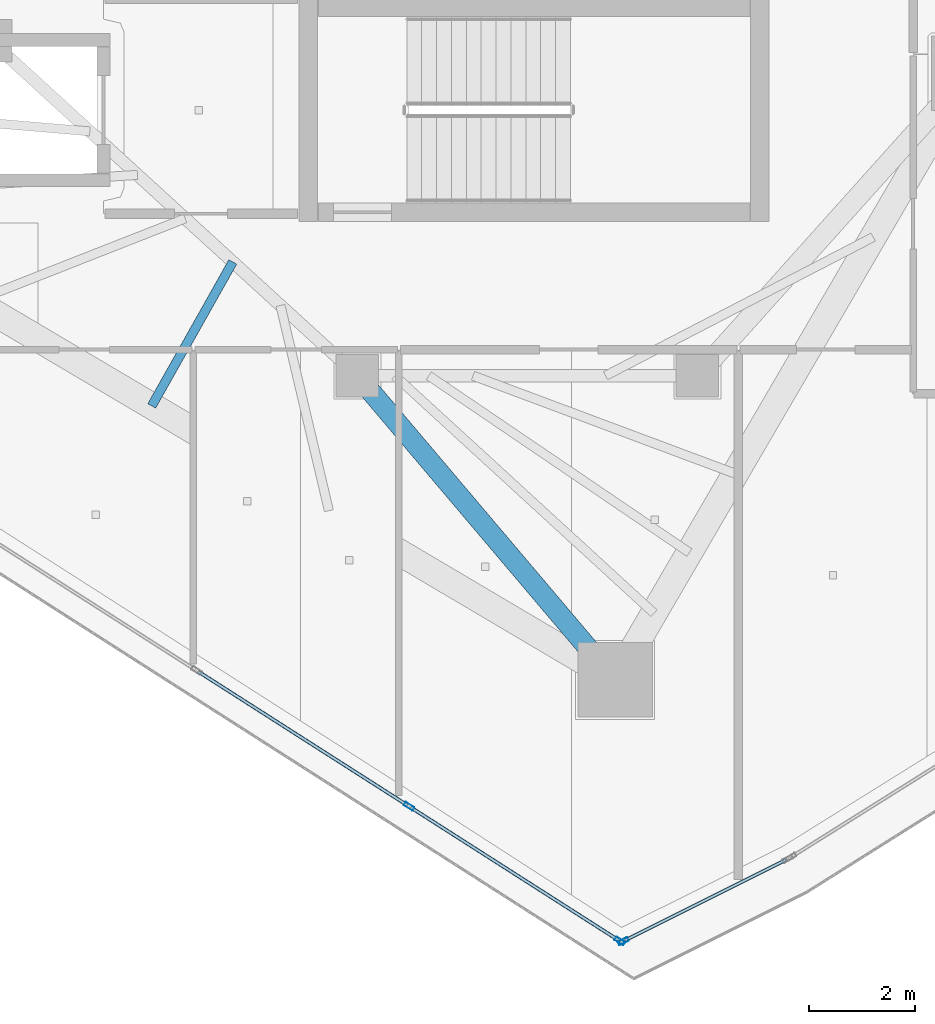
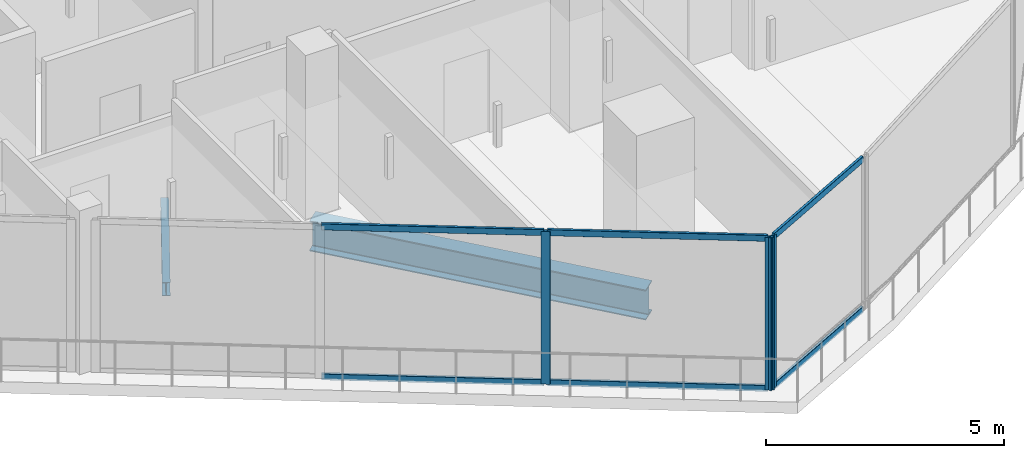
# One storey, part 3 of 25: 9 members, 2 beams, 2 elements without a shape of their own.
"""IFC4 building model written with IfcOpenShell, lengths in metres."""

import ifcopenshell
import ifcopenshell.guid

model = None  # the IFC model being written
_history = None  # IfcOwnerHistory: only IFC2X3 demands one
_inside = {}  # id of a spatial element -> (the spatial element, [elements in it])
_under = {}  # id of a project, library or spatial element -> (it, [spatial elements below it])
_declared = {}  # id of a project -> (the project, [libraries it declares])
_typed = {}  # id of a type object -> (the type object, [elements of that type])
_made_of = {}  # id of a material, layer set ... -> (it, [elements and type objects made of it])


def new_model(schema):
    """Start an empty IFC model of exactly this schema.

    Asked for "IFC4X3", IfcOpenShell would pick the latest addendum, in which some entities
    have other attributes; the version numbers below select the first issue.
    IFC2X3 requires an IfcOwnerHistory on every rooted entity: one is made here for all.
    """
    global model, _history
    if schema == "IFC4X3":
        model = ifcopenshell.file(schema_version=(4, 3, 0, 0))
    else:
        model = ifcopenshell.file(schema=schema)
    _inside.clear()
    _under.clear()
    _declared.clear()
    _typed.clear()
    _made_of.clear()
    _history = None
    if model.schema == "IFC2X3":
        org = make("IfcOrganization", Name="unknown")
        user = make(
            "IfcPersonAndOrganization",
            ThePerson=make("IfcPerson", FamilyName="unknown"),
            TheOrganization=org,
        )
        app = make(
            "IfcApplication",
            ApplicationDeveloper=org,
            Version="unknown",
            ApplicationFullName="unknown",
            ApplicationIdentifier="unknown",
        )
        _history = make(
            "IfcOwnerHistory",
            OwningUser=user,
            OwningApplication=app,
            ChangeAction="ADDED",
            CreationDate=0,
        )
    return model


def make(cls, **values):
    """One entity of the class cls with the attributes given. An attribute that is None is left unset."""
    return model.create_entity(
        cls, **{name: value for name, value in values.items() if value is not None}
    )


def rooted(cls, **values):
    """An entity with a GlobalId (a new one), such as an element, a storey or a relation."""
    return make(cls, GlobalId=ifcopenshell.guid.new(), OwnerHistory=_history, **values)


def si_unit(unit_type, name, prefix=None):
    """IfcSIUnit, for example si_unit("LENGTHUNIT", "METRE", prefix="MILLI")."""
    return make("IfcSIUnit", UnitType=unit_type, Prefix=prefix, Name=name)


def assignment(units):
    """IfcUnitAssignment: the units of a project."""
    return None if units is None else make("IfcUnitAssignment", Units=units)


def point(xyz):
    """IfcCartesianPoint."""
    return None if xyz is None else make("IfcCartesianPoint", Coordinates=xyz)


def direction(xyz):
    """IfcDirection."""
    return None if xyz is None else make("IfcDirection", DirectionRatios=xyz)


def frame(location, z_axis=None, x_axis=None):
    """IfcAxis2Placement3D, a coordinate frame: its origin and axes. An axis left out is left unset."""
    return make(
        "IfcAxis2Placement3D",
        Location=point(location),
        Axis=direction(z_axis),
        RefDirection=direction(x_axis),
    )


def frame_2d(location, x_axis=None):
    """IfcAxis2Placement2D, a coordinate frame in the plane: its origin and x axis."""
    return make(
        "IfcAxis2Placement2D", Location=point(location), RefDirection=direction(x_axis)
    )


def origin():
    """The frame at (0, 0, 0) with its axes left unset."""
    return frame((0.0, 0.0, 0.0))


def origin_2d():
    """The frame at (0, 0) in the plane with its x axis left unset."""
    return frame_2d((0.0, 0.0))


def place(relative_to, where):
    """IfcLocalPlacement: puts the frame where relative to a parent placement (None: the world)."""
    return make(
        "IfcLocalPlacement", PlacementRelTo=relative_to, RelativePlacement=where
    )


def context(
    kind, dimensions, precision=None, world=None, true_north=None, identifier=None
):
    """IfcGeometricRepresentationContext, for example the 3D "Model" context."""
    return make(
        "IfcGeometricRepresentationContext",
        ContextIdentifier=identifier,
        ContextType=kind,
        CoordinateSpaceDimension=dimensions,
        Precision=precision,
        WorldCoordinateSystem=world,
        TrueNorth=true_north,
    )


def subcontext(parent, identifier, kind, view, scale=None):
    """IfcGeometricRepresentationSubContext, for example "Body" below "Model"."""
    return make(
        "IfcGeometricRepresentationSubContext",
        ContextIdentifier=identifier,
        ContextType=kind,
        ParentContext=parent,
        TargetScale=scale,
        TargetView=view,
    )


def project(units=None, contexts=None):
    """IfcProject with its units and contexts."""
    return rooted(
        "IfcProject",
        Name="project",
        RepresentationContexts=contexts,
        UnitsInContext=assignment(units),
    )


def spatial(cls, under=None, at=None, **own):
    """A site, building, storey or space (cls), placed at a placement, below another one or the project."""
    s = rooted(cls, ObjectPlacement=at, **own)
    if under is not None:
        _under.setdefault(under.id(), (under, []))[1].append(s)
    return s


def profile(cls, at=None, kind="AREA", **sizes):
    """A parametric profile (cls). Its sizes go by their IFC names, for example OverallWidth=200.0."""
    return make(cls, ProfileType=kind, Position=at, **sizes)


def hollow_rectangle(**sizes):
    """IfcRectangleHollowProfileDef."""
    return profile("IfcRectangleHollowProfileDef", **sizes)


def i_section(**sizes):
    """IfcIShapeProfileDef."""
    return profile("IfcIShapeProfileDef", **sizes)


def extrude(swept, where, along, depth):
    """IfcExtrudedAreaSolid: the profile swept, set in the frame where, extruded along a direction by depth."""
    return make(
        "IfcExtrudedAreaSolid",
        SweptArea=swept,
        Position=where,
        ExtrudedDirection=direction(along),
        Depth=depth,
    )


def shape(context_of_items, identifier, shape_type, items):
    """IfcShapeRepresentation: the items that make up one representation, for example the "Body"."""
    return make(
        "IfcShapeRepresentation",
        ContextOfItems=context_of_items,
        RepresentationIdentifier=identifier,
        RepresentationType=shape_type,
        Items=items,
    )


def material(Name=None, Category=None):
    """IfcMaterial."""
    return make("IfcMaterial", Name=Name, Category=Category)


def layer(
    of_material, thickness, ventilated=None, Name=None, Category=None, Priority=None
):
    """IfcMaterialLayer: one layer of a wall or slab, of a material (None: an air gap)."""
    return make(
        "IfcMaterialLayer",
        Material=of_material,
        LayerThickness=thickness,
        IsVentilated=ventilated,
        Name=Name,
        Category=Category,
        Priority=Priority,
    )


def layer_set(layers, Name=None):
    """IfcMaterialLayerSet."""
    return make("IfcMaterialLayerSet", MaterialLayers=layers, LayerSetName=Name)


def material_profile(
    of_material, cross_section, Name=None, Category=None, Priority=None
):
    """IfcMaterialProfile: a cross section and its material."""
    return make(
        "IfcMaterialProfile",
        Name=Name,
        Material=of_material,
        Profile=cross_section,
        Priority=Priority,
        Category=Category,
    )


def profile_set(profiles, Name=None, composite=None):
    """IfcMaterialProfileSet."""
    return make(
        "IfcMaterialProfileSet",
        Name=Name,
        MaterialProfiles=profiles,
        CompositeProfile=composite,
    )


def made_of(thing, what):
    """Note that an element or type object is made of a material, layer set ...; save() writes the relation."""
    if what is not None:
        _made_of.setdefault(what.id(), (what, []))[1].append(thing)
    return thing


def type_object(cls, material=None, **own):
    """A type object (cls), such as IfcWallType, which elements share."""
    return made_of(rooted(cls, **own), material)


def element(
    cls,
    number,
    at=None,
    inside=None,
    cuts=None,
    type_object=None,
    material=None,
    context=None,
    identifier="Body",
    shape_type=None,
    held_by="IfcProductDefinitionShape",
    body=None,
    shapes=None,
    **own,
):
    """One element of the class cls, such as IfcWall. Its Tag is "e" and its number.

    at: its placement. inside: the storey or other place that contains it. cuts: it is an
    opening in that element (IfcRelVoidsElement). A single representation is given by context,
    identifier, shape_type and body (its items); several are given by shapes. held_by: the class
    of the entity that holds the representations. save() writes the other relations.
    """
    e = rooted(cls, Tag="e%d" % number, ObjectPlacement=at, **own)
    if body is not None:
        shapes = [shape(context, identifier, shape_type, body)]
    if shapes is not None:
        e.Representation = make(held_by, Representations=shapes)
    if inside is not None:
        _inside.setdefault(inside.id(), (inside, []))[1].append(e)
    if cuts is not None:
        rooted(
            "IfcRelVoidsElement", RelatingBuildingElement=cuts, RelatedOpeningElement=e
        )
    if type_object is not None:
        _typed.setdefault(type_object.id(), (type_object, []))[1].append(e)
    return made_of(e, material)


def aggregate(whole, parts):
    """IfcRelAggregates: a whole, such as a stair, and the parts it consists of."""
    return rooted("IfcRelAggregates", RelatingObject=whole, RelatedObjects=parts)


def save(model, path):
    """Write the relations noted so far, then the file.

    IfcRelAggregates (storeys below a building ...), IfcRelContainedInSpatialStructure (elements
    in a storey), IfcRelDefinesByType, IfcRelAssociatesMaterial and IfcRelDeclares: one each for
    every whole, place, type object, material and project.
    """
    for whole, parts in _under.values():
        aggregate(whole, parts)
    for where, things in _inside.values():
        rooted(
            "IfcRelContainedInSpatialStructure",
            RelatedElements=things,
            RelatingStructure=where,
        )
    for kind, things in _typed.values():
        rooted("IfcRelDefinesByType", RelatedObjects=things, RelatingType=kind)
    for what, things in _made_of.values():
        rooted("IfcRelAssociatesMaterial", RelatedObjects=things, RelatingMaterial=what)
    for by, libraries in _declared.values():
        rooted("IfcRelDeclares", RelatingContext=by, RelatedDefinitions=libraries)
    model.write(path)


model = new_model("IFC4")

# Units and contexts
model_context = context("Model", 3, precision=1e-05, world=origin(), true_north=direction((0.0, 1.0)))
body_context = subcontext(model_context, "Body", "Model", "MODEL_VIEW")
ifc_project = project(units=[si_unit("LENGTHUNIT", "METRE"), si_unit("AREAUNIT", "SQUARE_METRE"), si_unit("VOLUMEUNIT", "CUBIC_METRE"), si_unit("PLANEANGLEUNIT", "RADIAN"), si_unit("MASSUNIT", "GRAM", prefix="KILO")], contexts=[model_context])

# Site, building, storey
site_placement = place(None, origin())
site = spatial("IfcSite", under=ifc_project, at=site_placement, CompositionType="ELEMENT")
building_placement = place(site_placement, origin())
building = spatial("IfcBuilding", under=site, at=building_placement, Name="Qorvath Tower", CompositionType="ELEMENT")
storey_placement = place(building_placement, frame((0.0, 0.0, 306.0)))
storey = spatial("IfcBuildingStorey", under=building, at=storey_placement, Name="L71", CompositionType="ELEMENT", Elevation=306.0)

# Beams
ifc_material_1 = material(Name="Steel ASTM A992 Grade 50", Category="steel")
ifc_material_profile_1 = material_profile(ifc_material_1, i_section(OverallWidth=0.381103515625, OverallDepth=0.77294921875, WebThickness=0.0166015625, FlangeThickness=0.027099609375, FilletRadius=0.01904296875, at=origin_2d()), Name="W30x173")
ifc_profile_set_1 = profile_set([ifc_material_profile_1], Name="Steel ASTM A992 Grade 50")
beam_type_1 = type_object("IfcBeamType", Name="BM-FG3", PredefinedType="BEAM", material=ifc_profile_set_1)
beam_1_placement = place(storey_placement, frame((-23.60009765625, -11.449951171875, -0.676513671875), z_axis=(0.646321389876, -0.763065305848, 0.0), x_axis=(0.763065305848, 0.646321389876, 0.0)))
element("IfcBeam", 1, at=beam_1_placement, inside=storey, type_object=beam_type_1, Name="Radial Floor Girder CC4-MC3 L71", PredefinedType="BEAM", context=body_context, shape_type="SweptSolid", body=[
    extrude(i_section(OverallWidth=0.381103515625, OverallDepth=0.77294921875, WebThickness=0.0166015625, FlangeThickness=0.027099609375, FilletRadius=0.01904296875, at=origin_2d()), origin(), (0.0, 0.0, 1.0), 7.50341796875),
])
ifc_material_2 = material(Name="Steel ASTM A992 Grade 50", Category="steel")
ifc_material_profile_2 = material_profile(ifc_material_2, i_section(OverallWidth=0.1708984375, OverallDepth=0.35107421875, WebThickness=0.0068359375, FlangeThickness=0.009765625, FilletRadius=0.010009765625, at=origin_2d()), Name="W14x30")
ifc_profile_set_2 = profile_set([ifc_material_profile_2], Name="Steel ASTM A992 Grade 50")
beam_type_2 = type_object("IfcBeamType", Name="BM-FJ4", PredefinedType="JOIST", material=ifc_profile_set_2)
beam_2_placement = place(storey_placement, frame((-25.946044921875, -9.30810546875, -0.465576171875), z_axis=(-0.490626385489, -0.871370041866, 0.0), x_axis=(0.871370041866, -0.490626385489, 0.0)))
element("IfcBeam", 2, at=beam_2_placement, inside=storey, type_object=beam_type_2, Name="Composite Floor Joist SW5 L71", PredefinedType="JOIST", context=body_context, shape_type="SweptSolid", body=[
    extrude(i_section(OverallWidth=0.1708984375, OverallDepth=0.35107421875, WebThickness=0.0068359375, FlangeThickness=0.009765625, FilletRadius=0.010009765625, at=origin_2d()), origin(), (0.0, 0.0, 1.0), 3.110595703125),
])

# Curtain wall, members
ifc_material_3 = material(Name="Anodised aluminium and triple low-E glass", Category="aluminium")
ifc_layer = layer(ifc_material_3, 0.179931640625)
ifc_layer_set = layer_set([ifc_layer], Name="CW-SYS-4")
curtain_wall_type = type_object("IfcCurtainWallType", Name="CW-SYS-4", PredefinedType="NOTDEFINED", material=ifc_layer_set)
curtain_wall_1_placement = place(storey_placement, origin())
curtain_wall_1 = element("IfcCurtainWall", 3, at=curtain_wall_1_placement, inside=storey, type_object=curtain_wall_type, Name="Curtain Wall CW-4 CW-T-L71-2.2", PredefinedType="NOTDEFINED")
ifc_material_4 = material(Name="Anodised aluminium 6063-T6", Category="aluminium")
ifc_material_profile_3 = material_profile(ifc_material_4, hollow_rectangle(XDim=0.074951171875, YDim=0.199951171875, WallThickness=0.00390625, InnerFilletRadius=0.00390625, OuterFilletRadius=0.008056640625, at=origin_2d()), Name="CWM 200x75")
ifc_profile_set_3 = profile_set([ifc_material_profile_3], Name="Anodised aluminium 6063-T6")
member_type_1 = type_object("IfcMemberType", Name="CWM-200", PredefinedType="MULLION", material=ifc_profile_set_3)
member_1_placement = place(storey_placement, frame((-22.628173828125, -19.554931640625, 0.0), z_axis=(0.0, 0.0, 1.0), x_axis=(0.538533107683, 0.842604350765, 0.0)))
member_1 = element("IfcMember", 4, at=member_1_placement, type_object=member_type_1, Name="CW-4 mullion 3", PredefinedType="MULLION", context=body_context, shape_type="SweptSolid", body=[
    extrude(hollow_rectangle(XDim=0.074951171875, YDim=0.199951171875, WallThickness=0.00390625, InnerFilletRadius=0.00390625, OuterFilletRadius=0.008056640625, at=origin_2d()), origin(), (0.0, 0.0, 1.0), 3.909912109375),
])
member_2_placement = place(storey_placement, frame((-18.661376953125, -22.090087890625, 0.0), z_axis=(0.0, 0.0, 1.0), x_axis=(0.538533107683, 0.842604350765, 0.0)))
member_2 = element("IfcMember", 5, at=member_2_placement, type_object=member_type_1, Name="CW-4 mullion 4", PredefinedType="MULLION", context=body_context, shape_type="SweptSolid", body=[
    extrude(hollow_rectangle(XDim=0.074951171875, YDim=0.199951171875, WallThickness=0.00390625, InnerFilletRadius=0.00390625, OuterFilletRadius=0.008056640625, at=origin_2d()), origin(), (0.0, 0.0, 1.0), 3.909912109375),
])

# Curtain wall, member
curtain_wall_2_placement = place(storey_placement, origin())
curtain_wall_2 = element("IfcCurtainWall", 6, at=curtain_wall_2_placement, inside=storey, type_object=curtain_wall_type, Name="Curtain Wall CW-4 CW-T-L71-3.1", PredefinedType="NOTDEFINED")
member_3_placement = place(storey_placement, frame((-18.596435546875, -22.09375, 0.0), z_axis=(0.0, 0.0, 1.0), x_axis=(-0.447224921915, 0.894421527703, 0.0)))
member_3 = element("IfcMember", 7, at=member_3_placement, type_object=member_type_1, Name="CW-4 mullion 1", PredefinedType="MULLION", context=body_context, shape_type="SweptSolid", body=[
    extrude(hollow_rectangle(XDim=0.074951171875, YDim=0.199951171875, WallThickness=0.00390625, InnerFilletRadius=0.00390625, OuterFilletRadius=0.008056640625, at=origin_2d()), origin(), (0.0, 0.0, 1.0), 3.909912109375),
])

# Member
ifc_material_5 = material(Name="Anodised aluminium 6063-T6", Category="aluminium")
ifc_material_profile_4 = material_profile(ifc_material_5, hollow_rectangle(XDim=0.06494140625, YDim=0.159912109375, WallThickness=0.00341796875, InnerFilletRadius=0.00341796875, OuterFilletRadius=0.007080078125, at=origin_2d()), Name="CWT 160x65")
ifc_profile_set_4 = profile_set([ifc_material_profile_4], Name="Anodised aluminium 6063-T6")
member_type_2 = type_object("IfcMemberType", Name="CWT-160", PredefinedType="USERDEFINED", material=ifc_profile_set_4)
member_4_placement = place(storey_placement, frame((-26.5947265625, -17.019775390625, 0.032470703125), z_axis=(0.842592149435, -0.538552197759, 0.0), x_axis=(0.538552197759, 0.842592149435, 0.0)))
member_4 = element("IfcMember", 8, at=member_4_placement, type_object=member_type_2, Name="CW-4 transom 2.1", ObjectType="TRANSOM", PredefinedType="USERDEFINED", context=body_context, shape_type="SweptSolid", body=[
    extrude(hollow_rectangle(XDim=0.06494140625, YDim=0.159912109375, WallThickness=0.00341796875, InnerFilletRadius=0.00341796875, OuterFilletRadius=0.007080078125, at=origin_2d()), origin(), (0.0, 0.0, 1.0), 4.670166015625),
])

member_5_placement = place(storey_placement, frame((-26.5947265625, -17.019775390625, 3.87744140625), z_axis=(0.842592149435, -0.538552197759, 0.0), x_axis=(0.538552197759, 0.842592149435, 0.0)))
member_5 = element("IfcMember", 9, at=member_5_placement, type_object=member_type_2, Name="CW-4 transom 2.2", ObjectType="TRANSOM", PredefinedType="USERDEFINED", context=body_context, shape_type="SweptSolid", body=[
    extrude(hollow_rectangle(XDim=0.06494140625, YDim=0.159912109375, WallThickness=0.00341796875, InnerFilletRadius=0.00341796875, OuterFilletRadius=0.007080078125, at=origin_2d()), origin(), (0.0, 0.0, 1.0), 4.670166015625),
])

member_6_placement = place(storey_placement, frame((-22.596435546875, -19.5751953125, 0.032470703125), z_axis=(0.842589974273, -0.538555600894, 0.0), x_axis=(0.538555600894, 0.842589974273, 0.0)))
member_6 = element("IfcMember", 10, at=member_6_placement, type_object=member_type_2, Name="CW-4 transom 3.1", ObjectType="TRANSOM", PredefinedType="USERDEFINED", context=body_context, shape_type="SweptSolid", body=[
    extrude(hollow_rectangle(XDim=0.06494140625, YDim=0.159912109375, WallThickness=0.00341796875, InnerFilletRadius=0.00341796875, OuterFilletRadius=0.007080078125, at=origin_2d()), origin(), (0.0, 0.0, 1.0), 4.632568359375),
])

member_7_placement = place(storey_placement, frame((-22.596435546875, -19.5751953125, 3.87744140625), z_axis=(0.842589974273, -0.538555600894, 0.0), x_axis=(0.538555600894, 0.842589974273, 0.0)))
member_7 = element("IfcMember", 11, at=member_7_placement, type_object=member_type_2, Name="CW-4 transom 3.2", ObjectType="TRANSOM", PredefinedType="USERDEFINED", context=body_context, shape_type="SweptSolid", body=[
    extrude(hollow_rectangle(XDim=0.06494140625, YDim=0.159912109375, WallThickness=0.00341796875, InnerFilletRadius=0.00341796875, OuterFilletRadius=0.007080078125, at=origin_2d()), origin(), (0.0, 0.0, 1.0), 4.632568359375),
])

aggregate(curtain_wall_1, [member_1, member_2, member_4, member_5, member_6, member_7])

member_8_placement = place(storey_placement, frame((-18.562744140625, -22.076904296875, 0.032470703125), z_axis=(0.894398309629, 0.44727135358, 0.0), x_axis=(-0.44727135358, 0.894398309629, 0.0)))
member_8 = element("IfcMember", 12, at=member_8_placement, type_object=member_type_2, Name="CW-4 transom 1.1", ObjectType="TRANSOM", PredefinedType="USERDEFINED", context=body_context, shape_type="SweptSolid", body=[
    extrude(hollow_rectangle(XDim=0.06494140625, YDim=0.159912109375, WallThickness=0.00341796875, InnerFilletRadius=0.00341796875, OuterFilletRadius=0.007080078125, at=origin_2d()), origin(), (0.0, 0.0, 1.0), 3.381591796875),
])

member_9_placement = place(storey_placement, frame((-18.562744140625, -22.076904296875, 3.87744140625), z_axis=(0.894398309629, 0.44727135358, 0.0), x_axis=(-0.44727135358, 0.894398309629, 0.0)))
member_9 = element("IfcMember", 13, at=member_9_placement, type_object=member_type_2, Name="CW-4 transom 1.2", ObjectType="TRANSOM", PredefinedType="USERDEFINED", context=body_context, shape_type="SweptSolid", body=[
    extrude(hollow_rectangle(XDim=0.06494140625, YDim=0.159912109375, WallThickness=0.00341796875, InnerFilletRadius=0.00341796875, OuterFilletRadius=0.007080078125, at=origin_2d()), origin(), (0.0, 0.0, 1.0), 3.381591796875),
])

aggregate(curtain_wall_2, [member_3, member_8, member_9])

save(model, "model.ifc")
